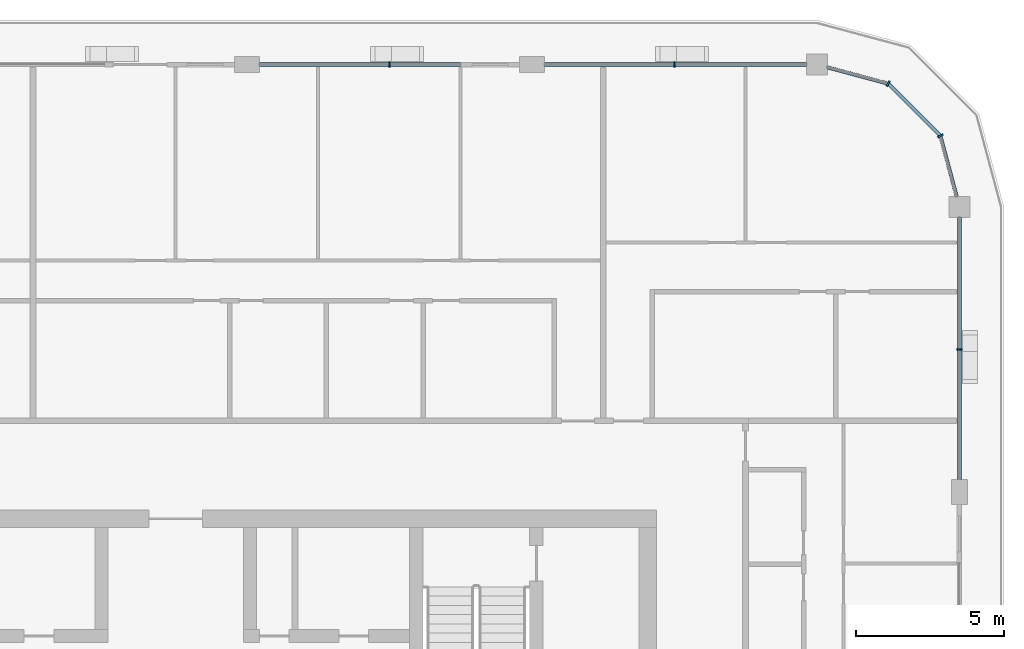
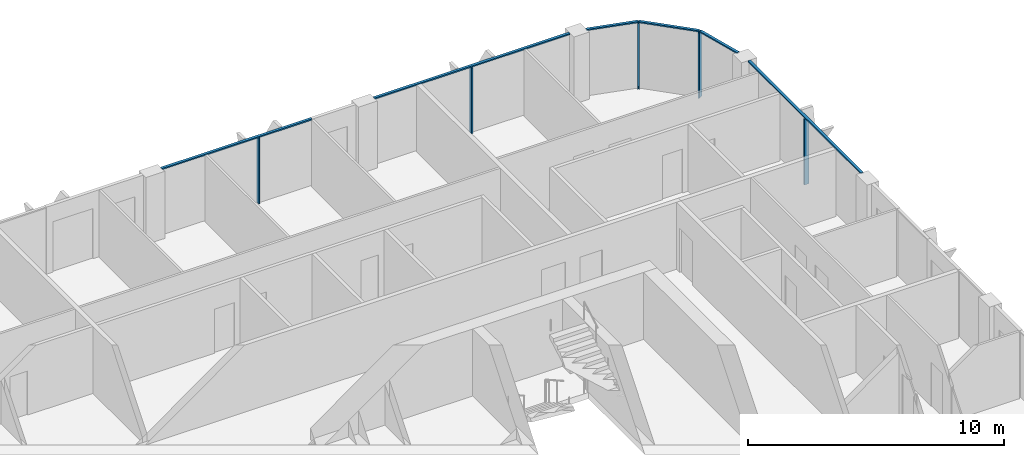
# One storey, part 6 of 21: 11 members, 4 elements without a shape of their own.
"""IFC4 building model written with IfcOpenShell, lengths in metres."""

from ifc_helpers import new_model, si_unit, direction, frame, origin, origin_2d, place, context, subcontext, project, spatial, rectangle, extrude, material, layer, layer_set, material_profile, profile_set, type_object, element, aggregate, save


model = new_model("IFC4")

# Units and contexts
model_context = context("Model", 3, precision=1e-05, world=origin(), true_north=direction((0.0, 1.0)))
body_context = subcontext(model_context, "Body", "Model", "MODEL_VIEW")
ifc_project = project(units=[si_unit("LENGTHUNIT", "METRE"), si_unit("AREAUNIT", "SQUARE_METRE"), si_unit("VOLUMEUNIT", "CUBIC_METRE"), si_unit("PLANEANGLEUNIT", "RADIAN"), si_unit("MASSUNIT", "GRAM", prefix="KILO")], contexts=[model_context])

# Site, building, storey
site_placement = place(None, origin())
site = spatial("IfcSite", under=ifc_project, at=site_placement, CompositionType="ELEMENT")
building_placement = place(site_placement, origin())
building = spatial("IfcBuilding", under=site, at=building_placement, Name="Madar Terraces", CompositionType="ELEMENT")
storey_placement = place(building_placement, frame((0.0, 0.0, 245.699951171875)))
storey = spatial("IfcBuildingStorey", under=building, at=storey_placement, Name="L64", CompositionType="ELEMENT", Elevation=245.699951171875)

# Curtain wall, member
ifc_material_1 = material(Name="Glass, ceramic frit dark grey, with black aluminium frame", Category="aluminium")
ifc_layer = layer(ifc_material_1, 0.199951171875)
ifc_layer_set = layer_set([ifc_layer], Name="Facade curtain wall, fritted glass")
curtain_wall_type = type_object("IfcCurtainWallType", Name="Facade curtain wall, fritted glass", PredefinedType="NOTDEFINED", material=ifc_layer_set)
curtain_wall_1_placement = place(storey_placement, origin())
curtain_wall_1 = element("IfcCurtainWall", 1, at=curtain_wall_1_placement, inside=storey, type_object=curtain_wall_type, Name="Outer skin curtain wall east bay 4", PredefinedType="NOTDEFINED")
ifc_material_2 = material(Name="Aluminium, black anodised", Category="aluminium")
ifc_material_profile_1 = material_profile(ifc_material_2, rectangle(XDim=0.199951171875, YDim=0.06005859375, at=origin_2d()), Name="Facade mullion 60x200")
ifc_profile_set_1 = profile_set([ifc_material_profile_1], Name="Aluminium, black anodised")
member_type_1 = type_object("IfcMemberType", Name="Facade mullion 60x200", PredefinedType="MULLION", material=ifc_profile_set_1)
member_1_placement = place(storey_placement, frame((57.60009765625, 43.199951171875, 0.0), z_axis=(0.0, 0.0, 1.0), x_axis=(-1.0, 0.0, 0.0)))
member_1 = element("IfcMember", 2, at=member_1_placement, type_object=member_type_1, Name="Mullion 1", PredefinedType="MULLION", context=body_context, shape_type="SweptSolid", body=[
    extrude(rectangle(XDim=0.199951171875, YDim=0.06005859375, at=origin_2d()), origin(), (0.0, 0.0, 1.0), 3.14013671875),
])

curtain_wall_2_placement = place(storey_placement, origin())
curtain_wall_2 = element("IfcCurtainWall", 3, at=curtain_wall_2_placement, inside=storey, type_object=curtain_wall_type, Name="Outer skin curtain wall north bay 1", PredefinedType="NOTDEFINED")
member_2_placement = place(storey_placement, frame((48.0, 52.800048828125, 0.0), z_axis=(0.0, 0.0, 1.0), x_axis=(0.0, -1.0, 0.0)))
member_2 = element("IfcMember", 4, at=member_2_placement, type_object=member_type_1, Name="Mullion 1", PredefinedType="MULLION", context=body_context, shape_type="SweptSolid", body=[
    extrude(rectangle(XDim=0.199951171875, YDim=0.06005859375, at=origin_2d()), origin(), (0.0, 0.0, 1.0), 3.14013671875),
])

curtain_wall_3_placement = place(storey_placement, origin())
curtain_wall_3 = element("IfcCurtainWall", 5, at=curtain_wall_3_placement, inside=storey, type_object=curtain_wall_type, Name="Outer skin curtain wall north bay 2", PredefinedType="NOTDEFINED")
member_3_placement = place(storey_placement, frame((38.39990234375, 52.800048828125, 0.0), z_axis=(0.0, 0.0, 1.0), x_axis=(0.0, -1.0, 0.0)))
member_3 = element("IfcMember", 6, at=member_3_placement, type_object=member_type_1, Name="Mullion 1", PredefinedType="MULLION", context=body_context, shape_type="SweptSolid", body=[
    extrude(rectangle(XDim=0.199951171875, YDim=0.06005859375, at=origin_2d()), origin(), (0.0, 0.0, 1.0), 3.14013671875),
])

# Curtain wall, members
curtain_wall_4_placement = place(storey_placement, origin())
curtain_wall_4 = element("IfcCurtainWall", 7, at=curtain_wall_4_placement, inside=storey, type_object=curtain_wall_type, Name="Outer skin curtain wall north-east corner", PredefinedType="NOTDEFINED")
member_4_placement = place(storey_placement, frame((56.95703125, 50.39990234375, 0.0), z_axis=(0.0, 0.0, 1.0), x_axis=(-0.866025409797, -0.499999989586, 0.0)))
member_4 = element("IfcMember", 8, at=member_4_placement, type_object=member_type_1, Name="Mullion 1", PredefinedType="MULLION", context=body_context, shape_type="SweptSolid", body=[
    extrude(rectangle(XDim=0.199951171875, YDim=0.06005859375, at=origin_2d()), origin(), (0.0, 0.0, 1.0), 3.14013671875),
])
member_5_placement = place(storey_placement, frame((55.199951171875, 52.156982421875, 0.0), z_axis=(0.0, 0.0, 1.0), x_axis=(-0.499999989586, -0.866025409797, 0.0)))
member_5 = element("IfcMember", 9, at=member_5_placement, type_object=member_type_1, Name="Mullion 2", PredefinedType="MULLION", context=body_context, shape_type="SweptSolid", body=[
    extrude(rectangle(XDim=0.199951171875, YDim=0.06005859375, at=origin_2d()), origin(), (0.0, 0.0, 1.0), 3.14013671875),
])

# Member
ifc_material_3 = material(Name="Aluminium, black anodised", Category="aluminium")
ifc_material_profile_2 = material_profile(ifc_material_3, rectangle(XDim=0.1201171875, YDim=0.06005859375, at=origin_2d()), Name="Facade transom 60x120")
ifc_profile_set_2 = profile_set([ifc_material_profile_2], Name="Aluminium, black anodised")
member_type_2 = type_object("IfcMemberType", Name="Facade transom 60x120", PredefinedType="USERDEFINED", material=ifc_profile_set_2)
member_6_placement = place(storey_placement, frame((57.60009765625, 38.824951171875, 3.170166015625), z_axis=(0.0, 1.0, 0.0), x_axis=(-1.0, 0.0, 0.0)))
member_6 = element("IfcMember", 10, at=member_6_placement, type_object=member_type_2, Name="Transom 1", ObjectType="TRANSOM", PredefinedType="USERDEFINED", context=body_context, shape_type="SweptSolid", body=[
    extrude(rectangle(XDim=0.1201171875, YDim=0.06005859375, at=origin_2d()), origin(), (0.0, 0.0, 1.0), 8.824951171875),
])

aggregate(curtain_wall_1, [member_1, member_6])

member_7_placement = place(storey_placement, frame((52.449951171875, 52.800048828125, 3.170166015625), z_axis=(-1.0, 0.0, 0.0), x_axis=(0.0, -1.0, 0.0)))
member_7 = element("IfcMember", 11, at=member_7_placement, type_object=member_type_2, Name="Transom 1", ObjectType="TRANSOM", PredefinedType="USERDEFINED", context=body_context, shape_type="SweptSolid", body=[
    extrude(rectangle(XDim=0.1201171875, YDim=0.06005859375, at=origin_2d()), origin(), (0.0, 0.0, 1.0), 8.824951171875),
])

aggregate(curtain_wall_2, [member_2, member_7])

member_8_placement = place(storey_placement, frame((40.800048828125, 52.800048828125, 3.170166015625), z_axis=(-1.0, 0.0, 0.0), x_axis=(0.0, -1.0, 0.0)))
member_8 = element("IfcMember", 12, at=member_8_placement, type_object=member_type_2, Name="Transom 1", ObjectType="TRANSOM", PredefinedType="USERDEFINED", context=body_context, shape_type="SweptSolid", body=[
    extrude(rectangle(XDim=0.1201171875, YDim=0.06005859375, at=origin_2d()), origin(), (0.0, 0.0, 1.0), 6.775146484375),
])

aggregate(curtain_wall_3, [member_3, member_8])

member_9_placement = place(storey_placement, frame((57.506103515625, 48.35009765625, 3.170166015625), z_axis=(-0.258809963731, 0.965928259589, 0.0), x_axis=(-0.965928259589, -0.258809963731, 0.0)))
member_9 = element("IfcMember", 13, at=member_9_placement, type_object=member_type_2, Name="Transom 1", ObjectType="TRANSOM", PredefinedType="USERDEFINED", context=body_context, shape_type="SweptSolid", body=[
    extrude(rectangle(XDim=0.1201171875, YDim=0.06005859375, at=origin_2d()), origin(), (0.0, 0.0, 1.0), 2.09228515625),
])

member_10_placement = place(storey_placement, frame((56.935791015625, 50.421142578125, 3.170166015625), z_axis=(-0.707106781187, 0.707106781187, 0.0), x_axis=(-0.707106781187, -0.707106781187, 0.0)))
member_10 = element("IfcMember", 14, at=member_10_placement, type_object=member_type_2, Name="Transom 2", ObjectType="TRANSOM", PredefinedType="USERDEFINED", context=body_context, shape_type="SweptSolid", body=[
    extrude(rectangle(XDim=0.1201171875, YDim=0.06005859375, at=origin_2d()), origin(), (0.0, 0.0, 1.0), 2.4248046875),
])

member_11_placement = place(storey_placement, frame((55.171142578125, 52.164794921875, 3.170166015625), z_axis=(-0.965936074212, 0.258780796304, 0.0), x_axis=(-0.258780796304, -0.965936074212, 0.0)))
member_11 = element("IfcMember", 15, at=member_11_placement, type_object=member_type_2, Name="Transom 3", ObjectType="TRANSOM", PredefinedType="USERDEFINED", context=body_context, shape_type="SweptSolid", body=[
    extrude(rectangle(XDim=0.1201171875, YDim=0.06005859375, at=origin_2d()), origin(), (0.0, 0.0, 1.0), 2.092529296875),
])

aggregate(curtain_wall_4, [member_4, member_9, member_5, member_10, member_11])

save(model, "model.ifc")
